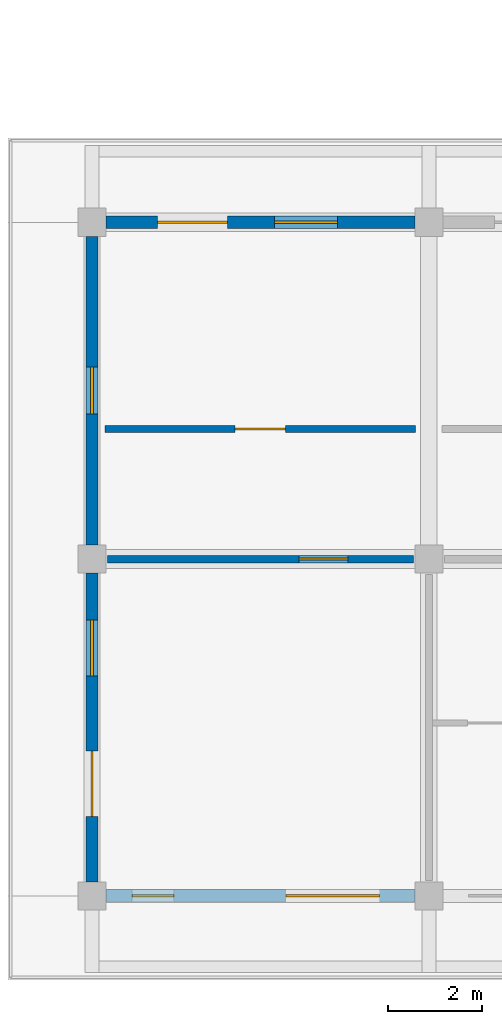
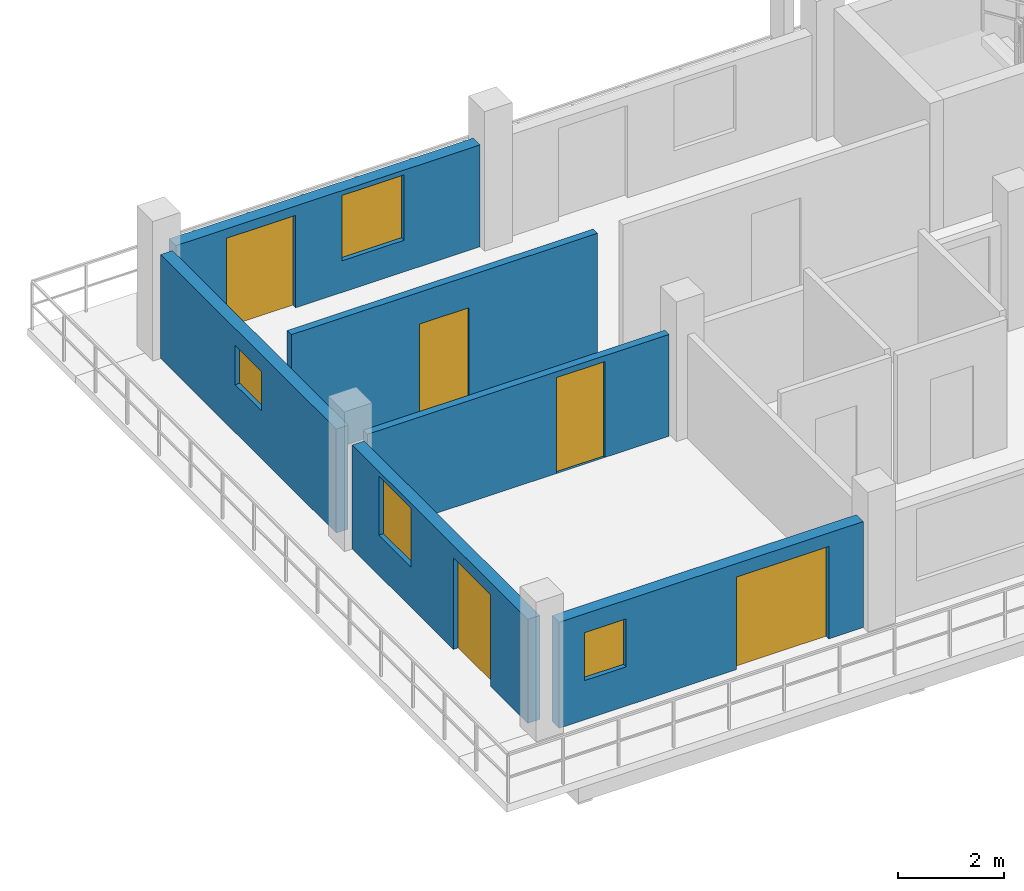
# One storey, part 44 of 78: 6 walls, 5 doors, 4 windows, 9 openings.
"""IFC4 building model written with IfcOpenShell, lengths in metres."""

from ifc_helpers import new_model, si_unit, direction, frame, frame_2d, origin, place, context, subcontext, project, spatial, rectangle, extrude, material, layer, layer_set, type_object, element, fill, save


model = new_model("IFC4")

# Units and contexts
model_context = context("Model", 3, precision=1e-05, world=origin(), true_north=direction((0.0, 1.0)))
body_context = subcontext(model_context, "Body", "Model", "MODEL_VIEW")
ifc_project = project(units=[si_unit("LENGTHUNIT", "METRE"), si_unit("AREAUNIT", "SQUARE_METRE"), si_unit("VOLUMEUNIT", "CUBIC_METRE"), si_unit("PLANEANGLEUNIT", "RADIAN"), si_unit("MASSUNIT", "GRAM", prefix="KILO")], contexts=[model_context])

# Site, building, storey
site_placement = place(None, origin())
site = spatial("IfcSite", under=ifc_project, at=site_placement, CompositionType="ELEMENT")
building_placement = place(site_placement, origin())
building = spatial("IfcBuilding", under=site, at=building_placement, Name="Suanplinth Sawtooth Commons", CompositionType="ELEMENT")
storey_placement = place(building_placement, frame((0.0, 0.0, 15.39990234375)))
storey = spatial("IfcBuildingStorey", under=building, at=storey_placement, Name="L04", CompositionType="ELEMENT", Elevation=15.39990234375)

# Wall, openings, door, window
ifc_material_1 = material(Name="Precast concrete C40/50", Category="concrete")
ifc_layer_1 = layer(ifc_material_1, 0.260009765625, Name="Insulated precast courtyard facade wall 260mm")
ifc_layer_set_1 = layer_set([ifc_layer_1], Name="Precast concrete C40/50")
wall_type_1 = type_object("IfcWallType", Name="W-EX02", PredefinedType="ELEMENTEDWALL", material=ifc_layer_set_1)
wall_1_placement = place(storey_placement, frame((122.699951171875, 0.0, 0.0), z_axis=(0.0, 0.0, 1.0), x_axis=(1.0, 0.0, 0.0)))
wall_1 = element("IfcWall", 1, at=wall_1_placement, inside=storey, type_object=wall_type_1, Name="Facade Wall W-L04-C-S-17-0", PredefinedType="ELEMENTEDWALL", context=body_context, shape_type="SweptSolid", body=[
    extrude(rectangle(XDim=6.60009765625, YDim=0.260009765625, at=frame_2d((3.300048828125, 0.0))), origin(), (0.0, 0.0, 1.0), 2.43017578125),
])
opening_1_placement = place(wall_1_placement, frame((3.85009765625, 0.0, 0.0)))
opening_1 = element("IfcOpeningElement", 2, at=opening_1_placement, cuts=wall_1, Name="Opening ED0357", PredefinedType="OPENING", context=body_context, shape_type="SweptSolid", body=[
    extrude(rectangle(XDim=2.0, YDim=2.1201171875, at=frame_2d((1.0, 1.06005859375))), frame((0.0, 0.14501953125, 0.0), z_axis=(0.0, -1.0, 0.0), x_axis=(1.0, 0.0, 0.0)), (0.0, 0.0, 1.0), 0.289794921875),
])
opening_2_placement = place(wall_1_placement, frame((0.550048828125, 0.0, 0.89990234375)))
opening_2 = element("IfcOpeningElement", 3, at=opening_2_placement, cuts=wall_1, Name="Opening W0454", PredefinedType="OPENING", context=body_context, shape_type="SweptSolid", body=[
    extrude(rectangle(XDim=0.89990234375, YDim=1.10009765625, at=frame_2d((0.449951171875, 0.550048828125))), frame((0.0, 0.14501953125, 0.0), z_axis=(0.0, -1.0, 0.0), x_axis=(1.0, 0.0, 0.0)), (0.0, 0.0, 1.0), 0.289794921875),
])
ifc_material_2 = material(Name="Anodized aluminium and low-E glass", Category="aluminium")
door_type_1 = type_object("IfcDoorType", Name="SD-06", OperationType="DOUBLE_DOOR_SLIDING", PredefinedType="DOOR", material=ifc_material_2)
door_1_placement = place(opening_1_placement, frame((2.0, 0.0, 0.0), z_axis=(0.0, 0.0, 1.0), x_axis=(-1.0, 0.0, 0.0)))
door_1 = element("IfcDoor", 4, at=door_1_placement, inside=storey, type_object=door_type_1, Name="Balcony Sliding Door L04-C-17", OperationType="DOUBLE_DOOR_SLIDING", OverallHeight=2.1201171875, OverallWidth=2.0, PredefinedType="DOOR", context=body_context, shape_type="SweptSolid", body=[
    extrude(rectangle(XDim=2.0, YDim=2.1201171875, at=frame_2d((1.0, 1.06005859375))), frame((0.0, 0.02490234375, 0.0), z_axis=(0.0, -1.0, 0.0), x_axis=(1.0, 0.0, 0.0)), (0.0, 0.0, 1.0), 0.050048828125),
])
fill(opening_1, door_1)
ifc_material_3 = material(Name="Thermally broken aluminium and low-E double glazing", Category="aluminium")
window_type_1 = type_object("IfcWindowType", Name="WN-04", PartitioningType="SINGLE_PANEL", PredefinedType="WINDOW", material=ifc_material_3)
window_1_placement = place(opening_2_placement, origin())
window_1 = element("IfcWindow", 5, at=window_1_placement, inside=storey, type_object=window_type_1, Name="Apartment Window L04-C-17", OverallHeight=1.10009765625, OverallWidth=0.89990234375, PartitioningType="SINGLE_PANEL", PredefinedType="WINDOW", context=body_context, shape_type="SweptSolid", body=[
    extrude(rectangle(XDim=0.89990234375, YDim=1.10009765625, at=frame_2d((0.449951171875, 0.550048828125))), frame((0.0, 0.030029296875, 0.0), z_axis=(0.0, -1.0, 0.0), x_axis=(1.0, 0.0, 0.0)), (0.0, 0.0, 1.0), 0.06005859375),
])
fill(opening_2, window_1)

wall_2_placement = place(storey_placement, frame((122.39990234375, 0.300048828125, 0.0), z_axis=(0.0, 0.0, 1.0), x_axis=(0.0, 1.0, 0.0)))
wall_2 = element("IfcWall", 6, at=wall_2_placement, inside=storey, type_object=wall_type_1, Name="Facade Wall W-L04-C-W-17-0", PredefinedType="ELEMENTEDWALL", context=body_context, shape_type="SweptSolid", body=[
    extrude(rectangle(XDim=6.599853515625, YDim=0.260009765625, at=frame_2d((3.2998046875, 0.0))), origin(), (0.0, 0.0, 1.0), 2.385009765625),
])
opening_3_placement = place(wall_2_placement, frame((1.39990234375, 0.0, 0.0)))
opening_3 = element("IfcOpeningElement", 7, at=opening_3_placement, cuts=wall_2, Name="Opening ED0358", PredefinedType="OPENING", context=body_context, shape_type="SweptSolid", body=[
    extrude(rectangle(XDim=1.39990234375, YDim=2.10009765625, at=frame_2d((0.699951171875, 1.050048828125))), frame((0.0, 0.14501953125, 0.0), z_axis=(0.0, -1.0, 0.0), x_axis=(1.0, 0.0, 0.0)), (0.0, 0.0, 1.0), 0.289794921875),
])
opening_4_placement = place(wall_2_placement, frame((4.39990234375, 0.0, 0.925048828125)))
opening_4 = element("IfcOpeningElement", 8, at=opening_4_placement, cuts=wall_2, Name="Opening W0455", PredefinedType="OPENING", context=body_context, shape_type="SweptSolid", body=[
    extrude(rectangle(XDim=1.199951171875, YDim=1.35009765625, at=frame_2d((0.60009765625, 0.675048828125))), frame((0.0, 0.14501953125, 0.0), z_axis=(0.0, -1.0, 0.0), x_axis=(1.0, 0.0, 0.0)), (0.0, 0.0, 1.0), 0.289794921875),
])
door_type_2 = type_object("IfcDoorType", Name="SD-07", OperationType="SLIDING_TO_RIGHT", PredefinedType="DOOR", material=ifc_material_2)
door_2_placement = place(opening_3_placement, frame((1.39990234375, 0.0, 0.0), z_axis=(0.0, 0.0, 1.0), x_axis=(-1.0, 0.0, 0.0)))
door_2 = element("IfcDoor", 9, at=door_2_placement, inside=storey, type_object=door_type_2, Name="End Balcony Sliding Door L04-C-W-17-0", OperationType="SLIDING_TO_RIGHT", OverallHeight=2.10009765625, OverallWidth=1.39990234375, PredefinedType="DOOR", context=body_context, shape_type="SweptSolid", body=[
    extrude(rectangle(XDim=1.39990234375, YDim=2.10009765625, at=frame_2d((0.699951171875, 1.050048828125))), frame((0.0, 0.02490234375, 0.0), z_axis=(0.0, -1.0, 0.0), x_axis=(1.0, 0.0, 0.0)), (0.0, 0.0, 1.0), 0.050048828125),
])
fill(opening_3, door_2)
window_type_2 = type_object("IfcWindowType", Name="WN-03", PartitioningType="SINGLE_PANEL", PredefinedType="WINDOW", material=ifc_material_3)
window_2_placement = place(opening_4_placement, origin())
window_2 = element("IfcWindow", 10, at=window_2_placement, inside=storey, type_object=window_type_2, Name="End Bedroom Window L04-C-17-0", OverallHeight=1.35009765625, OverallWidth=1.199951171875, PartitioningType="SINGLE_PANEL", PredefinedType="WINDOW", context=body_context, shape_type="SweptSolid", body=[
    extrude(rectangle(XDim=1.199951171875, YDim=1.35009765625, at=frame_2d((0.60009765625, 0.675048828125))), frame((0.0, 0.030029296875, 0.0), z_axis=(0.0, -1.0, 0.0), x_axis=(1.0, 0.0, 0.0)), (0.0, 0.0, 1.0), 0.06005859375),
])
fill(opening_4, window_2)

wall_3_placement = place(storey_placement, frame((122.699951171875, 14.39990234375, 0.0), z_axis=(0.0, 0.0, 1.0), x_axis=(1.0, 0.0, 0.0)))
wall_3 = element("IfcWall", 11, at=wall_3_placement, inside=storey, type_object=wall_type_1, Name="Facade Wall W-L04-C-N-17-1", PredefinedType="ELEMENTEDWALL", context=body_context, shape_type="SweptSolid", body=[
    extrude(rectangle(XDim=6.60009765625, YDim=0.260009765625, at=frame_2d((3.300048828125, 0.0))), origin(), (0.0, 0.0, 1.0), 2.335205078125),
])
opening_5_placement = place(wall_3_placement, frame((1.10009765625, 0.0, 0.0)))
opening_5 = element("IfcOpeningElement", 12, at=opening_5_placement, cuts=wall_3, Name="Opening ED0359", PredefinedType="OPENING", context=body_context, shape_type="SweptSolid", body=[
    extrude(rectangle(XDim=1.5, YDim=2.1201171875, at=frame_2d((0.75, 1.06005859375))), frame((0.0, 0.14501953125, 0.0), z_axis=(0.0, -1.0, 0.0), x_axis=(1.0, 0.0, 0.0)), (0.0, 0.0, 1.0), 0.289794921875),
])
opening_6_placement = place(wall_3_placement, frame((3.60009765625, 0.0, 0.72509765625)))
opening_6 = element("IfcOpeningElement", 13, at=opening_6_placement, cuts=wall_3, Name="Opening W0456", PredefinedType="OPENING", context=body_context, shape_type="SweptSolid", body=[
    extrude(rectangle(XDim=1.35009765625, YDim=1.5, at=frame_2d((0.675048828125, 0.75))), frame((0.0, 0.14501953125, 0.0), z_axis=(0.0, -1.0, 0.0), x_axis=(1.0, 0.0, 0.0)), (0.0, 0.0, 1.0), 0.289794921875),
])
door_type_3 = type_object("IfcDoorType", Name="SD-03", OperationType="SLIDING_TO_LEFT", PredefinedType="DOOR", material=ifc_material_2)
door_3_placement = place(opening_5_placement, frame((1.5, 0.0, 0.0), z_axis=(0.0, 0.0, 1.0), x_axis=(-1.0, 0.0, 0.0)))
door_3 = element("IfcDoor", 14, at=door_3_placement, inside=storey, type_object=door_type_3, Name="Courtyard Balcony Door L04-C-17", OperationType="SLIDING_TO_LEFT", OverallHeight=2.1201171875, OverallWidth=1.5, PredefinedType="DOOR", context=body_context, shape_type="SweptSolid", body=[
    extrude(rectangle(XDim=1.5, YDim=2.1201171875, at=frame_2d((0.75, 1.06005859375))), frame((0.0, 0.02490234375, 0.0), z_axis=(0.0, -1.0, 0.0), x_axis=(1.0, 0.0, 0.0)), (0.0, 0.0, 1.0), 0.050048828125),
])
fill(opening_5, door_3)
window_type_3 = type_object("IfcWindowType", Name="WN-14", PartitioningType="SINGLE_PANEL", PredefinedType="WINDOW", material=ifc_material_3)
window_3_placement = place(opening_6_placement, origin())
window_3 = element("IfcWindow", 15, at=window_3_placement, inside=storey, type_object=window_type_3, Name="Courtyard Window L04-C-17", OverallHeight=1.5, OverallWidth=1.35009765625, PartitioningType="SINGLE_PANEL", PredefinedType="WINDOW", context=body_context, shape_type="SweptSolid", body=[
    extrude(rectangle(XDim=1.35009765625, YDim=1.5, at=frame_2d((0.675048828125, 0.75))), frame((0.0, 0.030029296875, 0.0), z_axis=(0.0, -1.0, 0.0), x_axis=(1.0, 0.0, 0.0)), (0.0, 0.0, 1.0), 0.06005859375),
])
fill(opening_6, window_3)

# Wall, opening, window
wall_4_placement = place(storey_placement, frame((122.39990234375, 7.5, 0.0), z_axis=(0.0, 0.0, 1.0), x_axis=(0.0, 1.0, 0.0)))
wall_4 = element("IfcWall", 16, at=wall_4_placement, inside=storey, type_object=wall_type_1, Name="Facade Wall W-L04-C-W-17-1", PredefinedType="ELEMENTEDWALL", context=body_context, shape_type="SweptSolid", body=[
    extrude(rectangle(XDim=6.60009765625, YDim=0.260009765625, at=frame_2d((3.300048828125, 0.0))), origin(), (0.0, 0.0, 1.0), 2.385009765625),
])
opening_7_placement = place(wall_4_placement, frame((2.800048828125, 0.0, 1.10009765625)))
opening_7 = element("IfcOpeningElement", 17, at=opening_7_placement, cuts=wall_4, Name="Opening W0457", PredefinedType="OPENING", context=body_context, shape_type="SweptSolid", body=[
    extrude(rectangle(XDim=1.0, YDim=0.89990234375, at=frame_2d((0.5, 0.449951171875))), frame((0.0, 0.14501953125, 0.0), z_axis=(0.0, -1.0, 0.0), x_axis=(1.0, 0.0, 0.0)), (0.0, 0.0, 1.0), 0.289794921875),
])
window_type_4 = type_object("IfcWindowType", Name="WN-12", PartitioningType="SINGLE_PANEL", PredefinedType="WINDOW", material=ifc_material_3)
window_4_placement = place(opening_7_placement, origin())
window_4 = element("IfcWindow", 18, at=window_4_placement, inside=storey, type_object=window_type_4, Name="End Window L04-C-W-17-1", OverallHeight=0.89990234375, OverallWidth=1.0, PartitioningType="SINGLE_PANEL", PredefinedType="WINDOW", context=body_context, shape_type="SweptSolid", body=[
    extrude(rectangle(XDim=1.0, YDim=0.89990234375, at=frame_2d((0.5, 0.449951171875))), frame((0.0, 0.030029296875, 0.0), z_axis=(0.0, -1.0, 0.0), x_axis=(1.0, 0.0, 0.0)), (0.0, 0.0, 1.0), 0.06005859375),
])
fill(opening_7, window_4)

# Wall, opening, door
ifc_layer_2 = layer(ifc_material_1, 0.159912109375, Name="Fire-rated corridor and lobby wall 160mm")
ifc_layer_set_2 = layer_set([ifc_layer_2], Name="Precast concrete C40/50")
wall_type_2 = type_object("IfcWallType", Name="W-FW01", PredefinedType="PARTITIONING", material=ifc_layer_set_2)
wall_5_placement = place(storey_placement, frame((122.72998046875, 7.199951171875, 0.0), z_axis=(0.0, 0.0, 1.0), x_axis=(1.0, 0.0, 0.0)))
wall_5 = element("IfcWall", 19, at=wall_5_placement, inside=storey, type_object=wall_type_2, Name="W-C-L04-U01-COR", PredefinedType="PARTITIONING", context=body_context, shape_type="SweptSolid", body=[
    extrude(rectangle(XDim=6.5400390625, YDim=0.159912109375, at=frame_2d((3.27001953125, 0.0))), origin(), (0.0, 0.0, 1.0), 2.335205078125),
])
opening_8_placement = place(wall_5_placement, frame((4.094970703125, 0.0, 0.0)))
opening_8 = element("IfcOpeningElement", 20, at=opening_8_placement, cuts=wall_5, Name="Opening D1134", PredefinedType="OPENING", context=body_context, shape_type="SweptSolid", body=[
    extrude(rectangle(XDim=1.050048828125, YDim=2.199951171875, at=frame_2d((0.52490234375, 1.10009765625))), frame((0.0, 0.0947265625, 0.0), z_axis=(0.0, -1.0, 0.0), x_axis=(1.0, 0.0, 0.0)), (0.0, 0.0, 1.0), 0.189697265625),
])
ifc_material_4 = material(Name="Teak hardwood", Category="wood")
door_type_4 = type_object("IfcDoorType", Name="D-05", OperationType="NOTDEFINED", PredefinedType="DOOR", material=ifc_material_4)
door_4_placement = place(opening_8_placement, frame((1.050048828125, 0.0, 0.0), z_axis=(0.0, 0.0, 1.0), x_axis=(-1.0, 0.0, 0.0)))
door_4 = element("IfcDoor", 21, at=door_4_placement, inside=storey, type_object=door_type_4, Name="Unit Entrance Door D1134", OperationType="SINGLE_SWING_RIGHT", OverallHeight=2.199951171875, OverallWidth=1.050048828125, PredefinedType="DOOR", context=body_context, shape_type="SweptSolid", body=[
    extrude(rectangle(XDim=1.050048828125, YDim=2.199951171875, at=frame_2d((0.52490234375, 1.10009765625))), frame((0.0, 0.02490234375, 0.0), z_axis=(0.0, -1.0, 0.0), x_axis=(1.0, 0.0, 0.0)), (0.0, 0.0, 1.0), 0.050048828125),
])
fill(opening_8, door_4)

wall_6_placement = place(storey_placement, frame((122.679931640625, 9.97998046875, 0.0), z_axis=(0.0, 0.0, 1.0), x_axis=(1.0, 0.0, 0.0)))
wall_6 = element("IfcWall", 22, at=wall_6_placement, inside=storey, type_object=wall_type_2, Name="W-C-L04-COURTROOM-48-COR", PredefinedType="PARTITIONING", context=body_context, shape_type="SweptSolid", body=[
    extrude(rectangle(XDim=6.64013671875, YDim=0.159912109375, at=frame_2d((3.320068359375, 0.0))), origin(), (0.0, 0.0, 1.0), 2.9501953125),
])
opening_9_placement = place(wall_6_placement, frame((2.780029296875, 0.0, 0.0)))
opening_9 = element("IfcOpeningElement", 23, at=opening_9_placement, cuts=wall_6, Name="Opening D1156", PredefinedType="OPENING", context=body_context, shape_type="SweptSolid", body=[
    extrude(rectangle(XDim=1.080078125, YDim=2.219970703125, at=frame_2d((0.5400390625, 1.10986328125))), frame((0.0, 0.0947265625, 0.0), z_axis=(0.0, -1.0, 0.0), x_axis=(1.0, 0.0, 0.0)), (0.0, 0.0, 1.0), 0.189697265625),
])
door_type_5 = type_object("IfcDoorType", Name="D-17", OperationType="NOTDEFINED", PredefinedType="DOOR", material=ifc_material_4)
door_5_placement = place(opening_9_placement, origin())
door_5 = element("IfcDoor", 24, at=door_5_placement, inside=storey, type_object=door_type_5, Name="Study Studio Door D1156", OperationType="SINGLE_SWING_RIGHT", OverallHeight=2.219970703125, OverallWidth=1.080078125, PredefinedType="DOOR", context=body_context, shape_type="SweptSolid", body=[
    extrude(rectangle(XDim=1.080078125, YDim=2.219970703125, at=frame_2d((0.5400390625, 1.10986328125))), frame((0.0, 0.02490234375, 0.0), z_axis=(0.0, -1.0, 0.0), x_axis=(1.0, 0.0, 0.0)), (0.0, 0.0, 1.0), 0.050048828125),
])
fill(opening_9, door_5)

save(model, "model.ifc")
